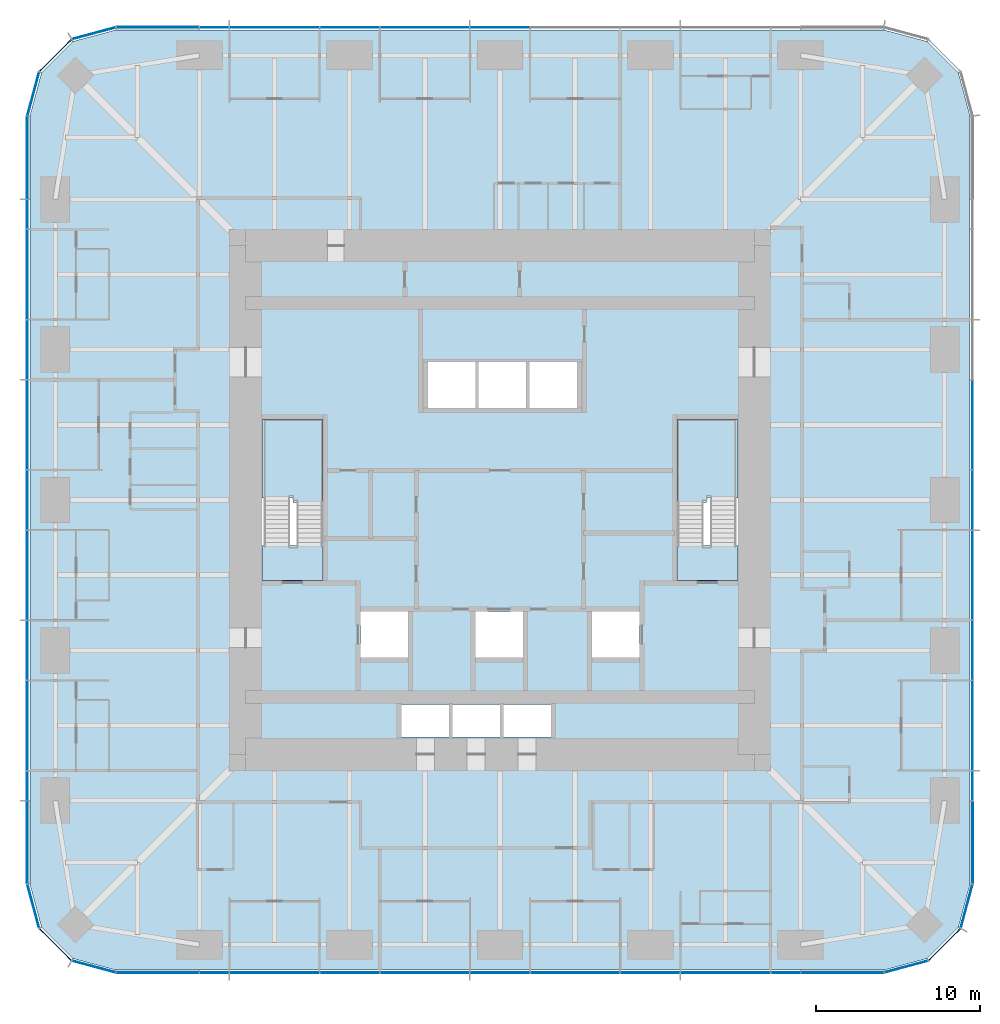
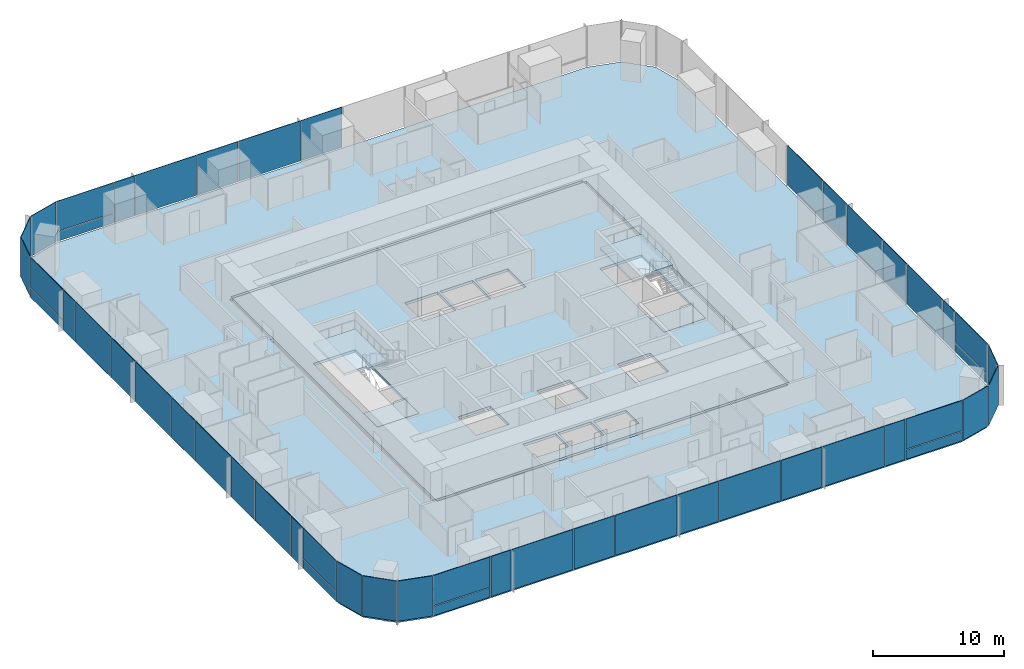
# One storey, part 7 of 13: 50 plates, 6 slabs, 9 elements without a shape of their own.
"""IFC4 building model written with IfcOpenShell, lengths in metres."""

from ifc_helpers import new_model, si_unit, direction, frame, origin, origin_2d, place, context, subcontext, project, spatial, polyline, rectangle, outline, extrude, material, layer, layer_set, type_object, element, aggregate, save


model = new_model("IFC4")

# Units and contexts
model_context = context("Model", 3, precision=1e-05, world=origin(), true_north=direction((0.0, 1.0)))
body_context = subcontext(model_context, "Body", "Model", "MODEL_VIEW")
ifc_project = project(units=[si_unit("LENGTHUNIT", "METRE"), si_unit("AREAUNIT", "SQUARE_METRE"), si_unit("VOLUMEUNIT", "CUBIC_METRE"), si_unit("PLANEANGLEUNIT", "RADIAN"), si_unit("MASSUNIT", "GRAM", prefix="KILO")], contexts=[model_context])

# Site, building, storey
site_placement = place(None, origin())
site = spatial("IfcSite", under=ifc_project, at=site_placement, CompositionType="ELEMENT")
building_placement = place(site_placement, origin())
building = spatial("IfcBuilding", under=site, at=building_placement, Name="Khuree Lantern Residences", CompositionType="ELEMENT")
storey_placement = place(building_placement, frame((0.0, 0.0, 148.5)))
storey = spatial("IfcBuildingStorey", under=building, at=storey_placement, Name="L37", CompositionType="ELEMENT", Elevation=148.5)

# Slab
ifc_material_1 = material(Name="Concrete C35/45", Category="concrete")
ifc_layer_1 = layer(ifc_material_1, 0.25)
ifc_layer_set_1 = layer_set([ifc_layer_1], Name="CFL250 CORE FLOOR SLAB 250")
slab_type_1 = type_object("IfcSlabType", Name="CFL250 CORE FLOOR SLAB 250", PredefinedType="FLOOR", material=ifc_layer_set_1)
slab_1_placement = place(storey_placement, frame((0.0, 0.0, -0.25)))
element("IfcSlab", 1, at=slab_1_placement, inside=storey, type_object=slab_type_1, Name="Core floor L37", PredefinedType="FLOOR", context=body_context, shape_type="SweptSolid", body=[
    extrude(outline(polyline([(-15.5, -15.5), (-15.5, 15.5), (15.5, 15.5), (15.5, -15.5), (-15.5, -15.5)]), holes=[polyline([(10.800048828125, 4.89990234375), (10.800048828125, -4.89990234375), (14.5, -4.89990234375), (14.5, 4.89990234375), (10.800048828125, 4.89990234375)]), polyline([(8.5, -6.800048828125), (5.60009765625, -6.800048828125), (5.60009765625, -9.60009765625), (8.5, -9.60009765625), (8.5, -6.800048828125)]), polyline([(4.699951171875, 8.39990234375), (1.800048828125, 8.39990234375), (1.800048828125, 5.60009765625), (4.699951171875, 5.60009765625), (4.699951171875, 8.39990234375)]), polyline([(3.10009765625, -12.449951171875), (0.199951171875, -12.449951171875), (0.199951171875, -14.449951171875), (3.10009765625, -14.449951171875), (3.10009765625, -12.449951171875)]), polyline([(1.60009765625, 8.39990234375), (-1.300048828125, 8.39990234375), (-1.300048828125, 5.60009765625), (1.60009765625, 5.60009765625), (1.60009765625, 8.39990234375)]), polyline([(1.39990234375, -6.800048828125), (-1.5, -6.800048828125), (-1.5, -9.60009765625), (1.39990234375, -9.60009765625), (1.39990234375, -6.800048828125)]), polyline([(-2.89990234375, -12.449951171875), (-2.89990234375, -14.449951171875), (0.0, -14.449951171875), (0.0, -12.449951171875), (-2.89990234375, -12.449951171875)]), polyline([(-4.39990234375, 8.39990234375), (-4.39990234375, 5.60009765625), (-1.5, 5.60009765625), (-1.5, 8.39990234375), (-4.39990234375, 8.39990234375)]), polyline([(-6.0, -12.449951171875), (-6.0, -14.449951171875), (-3.10009765625, -14.449951171875), (-3.10009765625, -12.449951171875), (-6.0, -12.449951171875)]), polyline([(-8.5, -6.800048828125), (-8.5, -9.60009765625), (-5.60009765625, -9.60009765625), (-5.60009765625, -6.800048828125), (-8.5, -6.800048828125)]), polyline([(-10.800048828125, 4.89990234375), (-14.5, 4.89990234375), (-14.5, -4.89990234375), (-10.800048828125, -4.89990234375), (-10.800048828125, 4.89990234375)])]), origin(), (0.0, 0.0, 1.0), 0.25),
])

# Curtain wall, plates
ifc_material_2 = material(Name="Bronze anodised aluminium", Category="aluminium")
curtain_wall_type_1 = type_object("IfcCurtainWallType", Name="CW-T2 TOWER CORNER CURTAIN WALL", PredefinedType="USERDEFINED", material=ifc_material_2)
curtain_wall_1_placement = place(storey_placement, origin())
curtain_wall_1 = element("IfcCurtainWall", 2, at=curtain_wall_1_placement, inside=storey, type_object=curtain_wall_type_1, Name="L37 SOUTH-EAST CORNER CURTAIN WALL", ObjectType="Faceted corner curtain wall", PredefinedType="USERDEFINED")
ifc_material_3 = material(Name="Bronze tinted triple glazing", Category="glass")
ifc_layer_2 = layer(ifc_material_3, 0.048095703125)
ifc_layer_set_2 = layer_set([ifc_layer_2], Name="FACET PANEL P4")
plate_type_1 = type_object("IfcPlateType", Name="FACET PANEL P4", PredefinedType="CURTAIN_PANEL", material=ifc_layer_set_2)
plate_1_placement = place(storey_placement, frame((24.748046875, -28.438720703125, 0.0), z_axis=(0.0, 0.0, 1.0), x_axis=(0.965925810153, 0.258819105321, 0.0)))
plate_1 = element("IfcPlate", 3, at=plate_1_placement, type_object=plate_type_1, Name="L37 SOUTH-EAST CORNER PANEL 1.1", PredefinedType="CURTAIN_PANEL", context=body_context, shape_type="SweptSolid", body=[
    extrude(rectangle(XDim=2.71923828125, YDim=0.048095703125, at=origin_2d()), origin(), (0.0, 0.0, 1.0), 3.75),
])
plate_2_placement = place(storey_placement, frame((27.08837890625, -27.08837890625, 0.0), z_axis=(0.0, 0.0, 1.0), x_axis=(0.707106781187, 0.707106781187, 0.0)))
plate_2 = element("IfcPlate", 4, at=plate_2_placement, type_object=plate_type_1, Name="L37 SOUTH-EAST CORNER PANEL 2.1", PredefinedType="CURTAIN_PANEL", context=body_context, shape_type="SweptSolid", body=[
    extrude(rectangle(XDim=2.715087890625, YDim=0.048095703125, at=origin_2d()), origin(), (0.0, 0.0, 1.0), 3.75),
])
plate_3_placement = place(storey_placement, frame((28.438720703125, -24.748046875, 0.0), z_axis=(0.0, 0.0, 1.0), x_axis=(0.258819105321, 0.965925810153, 0.0)))
plate_3 = element("IfcPlate", 5, at=plate_3_placement, type_object=plate_type_1, Name="L37 SOUTH-EAST CORNER PANEL 3.1", PredefinedType="CURTAIN_PANEL", context=body_context, shape_type="SweptSolid", body=[
    extrude(rectangle(XDim=2.71923828125, YDim=0.048095703125, at=origin_2d()), origin(), (0.0, 0.0, 1.0), 3.75),
])
aggregate(curtain_wall_1, [plate_1, plate_2, plate_3])

curtain_wall_2_placement = place(storey_placement, origin())
curtain_wall_2 = element("IfcCurtainWall", 6, at=curtain_wall_2_placement, inside=storey, type_object=curtain_wall_type_1, Name="L37 NORTH-WEST CORNER CURTAIN WALL", ObjectType="Faceted corner curtain wall", PredefinedType="USERDEFINED")
plate_4_placement = place(storey_placement, frame((-24.748046875, 28.438720703125, 0.0), z_axis=(0.0, 0.0, 1.0), x_axis=(-0.965925810153, -0.258819105321, 0.0)))
plate_4 = element("IfcPlate", 7, at=plate_4_placement, type_object=plate_type_1, Name="L37 NORTH-WEST CORNER PANEL 29.1", PredefinedType="CURTAIN_PANEL", context=body_context, shape_type="SweptSolid", body=[
    extrude(rectangle(XDim=2.71923828125, YDim=0.048095703125, at=origin_2d()), origin(), (0.0, 0.0, 1.0), 3.75),
])
plate_5_placement = place(storey_placement, frame((-27.08837890625, 27.08837890625, 0.0), z_axis=(0.0, 0.0, 1.0), x_axis=(-0.707106781187, -0.707106781187, 0.0)))
plate_5 = element("IfcPlate", 8, at=plate_5_placement, type_object=plate_type_1, Name="L37 NORTH-WEST CORNER PANEL 30.1", PredefinedType="CURTAIN_PANEL", context=body_context, shape_type="SweptSolid", body=[
    extrude(rectangle(XDim=2.715087890625, YDim=0.048095703125, at=origin_2d()), origin(), (0.0, 0.0, 1.0), 3.75),
])
plate_6_placement = place(storey_placement, frame((-28.438720703125, 24.748046875, 0.0), z_axis=(0.0, 0.0, 1.0), x_axis=(-0.258819105321, -0.965925810153, 0.0)))
plate_6 = element("IfcPlate", 9, at=plate_6_placement, type_object=plate_type_1, Name="L37 NORTH-WEST CORNER PANEL 31.1", PredefinedType="CURTAIN_PANEL", context=body_context, shape_type="SweptSolid", body=[
    extrude(rectangle(XDim=2.71923828125, YDim=0.048095703125, at=origin_2d()), origin(), (0.0, 0.0, 1.0), 3.75),
])
aggregate(curtain_wall_2, [plate_4, plate_5, plate_6])

curtain_wall_3_placement = place(storey_placement, origin())
curtain_wall_3 = element("IfcCurtainWall", 10, at=curtain_wall_3_placement, inside=storey, type_object=curtain_wall_type_1, Name="L37 SOUTH-WEST CORNER CURTAIN WALL", ObjectType="Faceted corner curtain wall", PredefinedType="USERDEFINED")
plate_7_placement = place(storey_placement, frame((-28.438720703125, -24.748046875, 0.0), z_axis=(0.0, 0.0, 1.0), x_axis=(0.258819105321, -0.965925810153, 0.0)))
plate_7 = element("IfcPlate", 11, at=plate_7_placement, type_object=plate_type_1, Name="L37 SOUTH-WEST CORNER PANEL 43.1", PredefinedType="CURTAIN_PANEL", context=body_context, shape_type="SweptSolid", body=[
    extrude(rectangle(XDim=2.71923828125, YDim=0.048095703125, at=origin_2d()), origin(), (0.0, 0.0, 1.0), 3.75),
])
plate_8_placement = place(storey_placement, frame((-27.08837890625, -27.08837890625, 0.0), z_axis=(0.0, 0.0, 1.0), x_axis=(0.707106781187, -0.707106781187, 0.0)))
plate_8 = element("IfcPlate", 12, at=plate_8_placement, type_object=plate_type_1, Name="L37 SOUTH-WEST CORNER PANEL 44.1", PredefinedType="CURTAIN_PANEL", context=body_context, shape_type="SweptSolid", body=[
    extrude(rectangle(XDim=2.715087890625, YDim=0.048095703125, at=origin_2d()), origin(), (0.0, 0.0, 1.0), 3.75),
])
plate_9_placement = place(storey_placement, frame((-24.748046875, -28.438720703125, 0.0), z_axis=(0.0, 0.0, 1.0), x_axis=(0.965925810153, -0.258819105321, 0.0)))
plate_9 = element("IfcPlate", 13, at=plate_9_placement, type_object=plate_type_1, Name="L37 SOUTH-WEST CORNER PANEL 45.1", PredefinedType="CURTAIN_PANEL", context=body_context, shape_type="SweptSolid", body=[
    extrude(rectangle(XDim=2.71923828125, YDim=0.048095703125, at=origin_2d()), origin(), (0.0, 0.0, 1.0), 3.75),
])
aggregate(curtain_wall_3, [plate_7, plate_8, plate_9])

curtain_wall_type_2 = type_object("IfcCurtainWallType", Name="CW-T1 TOWER FACE CURTAIN WALL", PredefinedType="USERDEFINED", material=ifc_material_2)
curtain_wall_4_placement = place(storey_placement, origin())
curtain_wall_4 = element("IfcCurtainWall", 14, at=curtain_wall_4_placement, inside=storey, type_object=curtain_wall_type_2, Name="L37 EAST FACE CURTAIN WALL", ObjectType="Stick-built curtain wall", PredefinedType="USERDEFINED")
ifc_material_4 = material(Name="Bronze tinted triple glazing with a ceramic-fritted spandrel band", Category="glass")
ifc_layer_3 = layer(ifc_material_4, 0.048095703125)
ifc_layer_set_3 = layer_set([ifc_layer_3], Name="FIXED LIGHT PANEL P11")
plate_type_2 = type_object("IfcPlateType", Name="FIXED LIGHT PANEL P11", PredefinedType="CURTAIN_PANEL", material=ifc_layer_set_3)
plate_10_placement = place(storey_placement, frame((28.800048828125, -13.739990234375, 0.0), z_axis=(0.0, 0.0, 1.0), x_axis=(0.0, 1.0, 0.0)))
plate_10 = element("IfcPlate", 15, at=plate_10_placement, type_object=plate_type_2, Name="L37 EAST FACE PANEL 6.1", PredefinedType="CURTAIN_PANEL", context=body_context, shape_type="SweptSolid", body=[
    extrude(rectangle(XDim=5.430908203125, YDim=0.048095703125, at=origin_2d()), origin(), (0.0, 0.0, 1.0), 3.75),
])
plate_11_placement = place(storey_placement, frame((28.800048828125, -4.580078125, 0.0), z_axis=(0.0, 0.0, 1.0), x_axis=(0.0, 1.0, 0.0)))
plate_11 = element("IfcPlate", 16, at=plate_11_placement, type_object=plate_type_2, Name="L37 EAST FACE PANEL 8.1", PredefinedType="CURTAIN_PANEL", context=body_context, shape_type="SweptSolid", body=[
    extrude(rectangle(XDim=5.430908203125, YDim=0.048095703125, at=origin_2d()), origin(), (0.0, 0.0, 1.0), 3.75),
])
plate_12_placement = place(storey_placement, frame((28.800048828125, 4.580078125, 0.0), z_axis=(0.0, 0.0, 1.0), x_axis=(0.0, 1.0, 0.0)))
plate_12 = element("IfcPlate", 17, at=plate_12_placement, type_object=plate_type_2, Name="L37 EAST FACE PANEL 10.1", PredefinedType="CURTAIN_PANEL", context=body_context, shape_type="SweptSolid", body=[
    extrude(rectangle(XDim=5.430908203125, YDim=0.048095703125, at=origin_2d()), origin(), (0.0, 0.0, 1.0), 3.75),
])

curtain_wall_5_placement = place(storey_placement, origin())
curtain_wall_5 = element("IfcCurtainWall", 18, at=curtain_wall_5_placement, inside=storey, type_object=curtain_wall_type_2, Name="L37 NORTH FACE CURTAIN WALL", ObjectType="Stick-built curtain wall", PredefinedType="USERDEFINED")
plate_13_placement = place(storey_placement, frame((-4.580078125, 28.800048828125, 0.0), z_axis=(0.0, 0.0, 1.0), x_axis=(-1.0, 0.0, 0.0)))
plate_13 = element("IfcPlate", 19, at=plate_13_placement, type_object=plate_type_2, Name="L37 NORTH FACE PANEL 24.1", PredefinedType="CURTAIN_PANEL", context=body_context, shape_type="SweptSolid", body=[
    extrude(rectangle(XDim=5.430908203125, YDim=0.048095703125, at=origin_2d()), origin(), (0.0, 0.0, 1.0), 3.75),
])
plate_14_placement = place(storey_placement, frame((-13.739990234375, 28.800048828125, 0.0), z_axis=(0.0, 0.0, 1.0), x_axis=(-1.0, 0.0, 0.0)))
plate_14 = element("IfcPlate", 20, at=plate_14_placement, type_object=plate_type_2, Name="L37 NORTH FACE PANEL 26.1", PredefinedType="CURTAIN_PANEL", context=body_context, shape_type="SweptSolid", body=[
    extrude(rectangle(XDim=5.430908203125, YDim=0.048095703125, at=origin_2d()), origin(), (0.0, 0.0, 1.0), 3.75),
])

curtain_wall_6_placement = place(storey_placement, origin())
curtain_wall_6 = element("IfcCurtainWall", 21, at=curtain_wall_6_placement, inside=storey, type_object=curtain_wall_type_2, Name="L37 WEST FACE CURTAIN WALL", ObjectType="Stick-built curtain wall", PredefinedType="USERDEFINED")
plate_15_placement = place(storey_placement, frame((-28.800048828125, 13.739990234375, 0.0), z_axis=(0.0, 0.0, 1.0), x_axis=(0.0, -1.0, 0.0)))
plate_15 = element("IfcPlate", 22, at=plate_15_placement, type_object=plate_type_2, Name="L37 WEST FACE PANEL 34.1", PredefinedType="CURTAIN_PANEL", context=body_context, shape_type="SweptSolid", body=[
    extrude(rectangle(XDim=5.430908203125, YDim=0.048095703125, at=origin_2d()), origin(), (0.0, 0.0, 1.0), 3.75),
])
plate_16_placement = place(storey_placement, frame((-28.800048828125, 4.580078125, 0.0), z_axis=(0.0, 0.0, 1.0), x_axis=(0.0, -1.0, 0.0)))
plate_16 = element("IfcPlate", 23, at=plate_16_placement, type_object=plate_type_2, Name="L37 WEST FACE PANEL 36.1", PredefinedType="CURTAIN_PANEL", context=body_context, shape_type="SweptSolid", body=[
    extrude(rectangle(XDim=5.430908203125, YDim=0.048095703125, at=origin_2d()), origin(), (0.0, 0.0, 1.0), 3.75),
])
plate_17_placement = place(storey_placement, frame((-28.800048828125, -4.580078125, 0.0), z_axis=(0.0, 0.0, 1.0), x_axis=(0.0, -1.0, 0.0)))
plate_17 = element("IfcPlate", 24, at=plate_17_placement, type_object=plate_type_2, Name="L37 WEST FACE PANEL 38.1", PredefinedType="CURTAIN_PANEL", context=body_context, shape_type="SweptSolid", body=[
    extrude(rectangle(XDim=5.430908203125, YDim=0.048095703125, at=origin_2d()), origin(), (0.0, 0.0, 1.0), 3.75),
])
plate_18_placement = place(storey_placement, frame((-28.800048828125, -13.739990234375, 0.0), z_axis=(0.0, 0.0, 1.0), x_axis=(0.0, -1.0, 0.0)))
plate_18 = element("IfcPlate", 25, at=plate_18_placement, type_object=plate_type_2, Name="L37 WEST FACE PANEL 40.1", PredefinedType="CURTAIN_PANEL", context=body_context, shape_type="SweptSolid", body=[
    extrude(rectangle(XDim=5.430908203125, YDim=0.048095703125, at=origin_2d()), origin(), (0.0, 0.0, 1.0), 3.75),
])

curtain_wall_7_placement = place(storey_placement, origin())
curtain_wall_7 = element("IfcCurtainWall", 26, at=curtain_wall_7_placement, inside=storey, type_object=curtain_wall_type_2, Name="L37 SOUTH FACE CURTAIN WALL", ObjectType="Stick-built curtain wall", PredefinedType="USERDEFINED")
plate_19_placement = place(storey_placement, frame((-13.739990234375, -28.800048828125, 0.0), z_axis=(0.0, 0.0, 1.0), x_axis=(1.0, 0.0, 0.0)))
plate_19 = element("IfcPlate", 27, at=plate_19_placement, type_object=plate_type_2, Name="L37 SOUTH FACE PANEL 48.1", PredefinedType="CURTAIN_PANEL", context=body_context, shape_type="SweptSolid", body=[
    extrude(rectangle(XDim=5.430908203125, YDim=0.048095703125, at=origin_2d()), origin(), (0.0, 0.0, 1.0), 3.75),
])
plate_20_placement = place(storey_placement, frame((-4.580078125, -28.800048828125, 0.0), z_axis=(0.0, 0.0, 1.0), x_axis=(1.0, 0.0, 0.0)))
plate_20 = element("IfcPlate", 28, at=plate_20_placement, type_object=plate_type_2, Name="L37 SOUTH FACE PANEL 50.1", PredefinedType="CURTAIN_PANEL", context=body_context, shape_type="SweptSolid", body=[
    extrude(rectangle(XDim=5.430908203125, YDim=0.048095703125, at=origin_2d()), origin(), (0.0, 0.0, 1.0), 3.75),
])
plate_21_placement = place(storey_placement, frame((4.580078125, -28.800048828125, 0.0), z_axis=(0.0, 0.0, 1.0), x_axis=(1.0, 0.0, 0.0)))
plate_21 = element("IfcPlate", 29, at=plate_21_placement, type_object=plate_type_2, Name="L37 SOUTH FACE PANEL 52.1", PredefinedType="CURTAIN_PANEL", context=body_context, shape_type="SweptSolid", body=[
    extrude(rectangle(XDim=5.430908203125, YDim=0.048095703125, at=origin_2d()), origin(), (0.0, 0.0, 1.0), 3.75),
])
plate_22_placement = place(storey_placement, frame((13.739990234375, -28.800048828125, 0.0), z_axis=(0.0, 0.0, 1.0), x_axis=(1.0, 0.0, 0.0)))
plate_22 = element("IfcPlate", 30, at=plate_22_placement, type_object=plate_type_2, Name="L37 SOUTH FACE PANEL 54.1", PredefinedType="CURTAIN_PANEL", context=body_context, shape_type="SweptSolid", body=[
    extrude(rectangle(XDim=5.430908203125, YDim=0.048095703125, at=origin_2d()), origin(), (0.0, 0.0, 1.0), 3.75),
])

# Slab
ifc_layer_4 = layer(ifc_material_1, 0.25)
ifc_layer_set_4 = layer_set([ifc_layer_4], Name="FS250 FLOOR SLAB 250")
slab_type_2 = type_object("IfcSlabType", Name="FS250 FLOOR SLAB 250", PredefinedType="FLOOR", material=ifc_layer_set_4)
slab_2_placement = place(storey_placement, frame((0.0, 0.0, -0.25)))
element("IfcSlab", 31, at=slab_2_placement, inside=storey, type_object=slab_type_2, Name="Floor slab L37", PredefinedType="FLOOR", context=body_context, shape_type="SweptSolid", body=[
    extrude(outline(polyline([(-26.02490234375, -27.946533203125), (-27.946533203125, -26.02490234375), (-28.64990234375, -23.39990234375), (-28.64990234375, 23.39990234375), (-27.946533203125, 26.02490234375), (-26.02490234375, 27.946533203125), (-23.39990234375, 28.64990234375), (23.39990234375, 28.64990234375), (26.02490234375, 27.946533203125), (27.946533203125, 26.02490234375), (28.64990234375, 23.39990234375), (28.64990234375, -23.39990234375), (27.946533203125, -26.02490234375), (26.02490234375, -27.946533203125), (23.39990234375, -28.64990234375), (-23.39990234375, -28.64990234375), (-26.02490234375, -27.946533203125)]), holes=[polyline([(15.75, 15.5), (15.5, 15.5), (15.5, 15.75), (-15.5, 15.75), (-15.5, 15.5), (-15.75, 15.5), (-15.75, -15.5), (-15.5, -15.5), (-15.5, -15.75), (15.5, -15.75), (15.5, -15.5), (15.75, -15.5), (15.75, 15.5)])]), origin(), (0.0, 0.0, 1.0), 0.25),
])

# Plate
ifc_material_5 = material(Name="Bronze tinted triple glazing, two aluminium-framed sashes in one frame", Category="aluminium")
ifc_layer_5 = layer(ifc_material_5, 0.048095703125)
ifc_layer_set_5 = layer_set([ifc_layer_5], Name="SASH PAIR PANEL P12")
plate_type_3 = type_object("IfcPlateType", Name="SASH PAIR PANEL P12", PredefinedType="CURTAIN_PANEL", material=ifc_layer_set_5)
plate_23_placement = place(storey_placement, frame((28.800048828125, -9.159912109375, 0.0), z_axis=(0.0, 0.0, 1.0), x_axis=(0.0, 1.0, 0.0)))
plate_23 = element("IfcPlate", 32, at=plate_23_placement, type_object=plate_type_3, Name="L37 EAST FACE PANEL 7.1", PredefinedType="CURTAIN_PANEL", context=body_context, shape_type="SweptSolid", body=[
    extrude(rectangle(XDim=3.59912109375, YDim=0.048095703125, at=origin_2d()), origin(), (0.0, 0.0, 1.0), 3.75),
])

plate_24_placement = place(storey_placement, frame((28.800048828125, 0.0, 0.0), z_axis=(0.0, 0.0, 1.0), x_axis=(0.0, 1.0, 0.0)))
plate_24 = element("IfcPlate", 33, at=plate_24_placement, type_object=plate_type_3, Name="L37 EAST FACE PANEL 9.1", PredefinedType="CURTAIN_PANEL", context=body_context, shape_type="SweptSolid", body=[
    extrude(rectangle(XDim=3.59912109375, YDim=0.048095703125, at=origin_2d()), origin(), (0.0, 0.0, 1.0), 3.75),
])

plate_25_placement = place(storey_placement, frame((0.0, 28.800048828125, 0.0), z_axis=(0.0, 0.0, 1.0), x_axis=(-1.0, 0.0, 0.0)))
plate_25 = element("IfcPlate", 34, at=plate_25_placement, type_object=plate_type_3, Name="L37 NORTH FACE PANEL 23.1", PredefinedType="CURTAIN_PANEL", context=body_context, shape_type="SweptSolid", body=[
    extrude(rectangle(XDim=3.59912109375, YDim=0.048095703125, at=origin_2d()), origin(), (0.0, 0.0, 1.0), 3.75),
])

plate_26_placement = place(storey_placement, frame((-9.159912109375, 28.800048828125, 0.0), z_axis=(0.0, 0.0, 1.0), x_axis=(-1.0, 0.0, 0.0)))
plate_26 = element("IfcPlate", 35, at=plate_26_placement, type_object=plate_type_3, Name="L37 NORTH FACE PANEL 25.1", PredefinedType="CURTAIN_PANEL", context=body_context, shape_type="SweptSolid", body=[
    extrude(rectangle(XDim=3.59912109375, YDim=0.048095703125, at=origin_2d()), origin(), (0.0, 0.0, 1.0), 3.75),
])

plate_27_placement = place(storey_placement, frame((-28.800048828125, 9.159912109375, 0.0), z_axis=(0.0, 0.0, 1.0), x_axis=(0.0, -1.0, 0.0)))
plate_27 = element("IfcPlate", 36, at=plate_27_placement, type_object=plate_type_3, Name="L37 WEST FACE PANEL 35.1", PredefinedType="CURTAIN_PANEL", context=body_context, shape_type="SweptSolid", body=[
    extrude(rectangle(XDim=3.59912109375, YDim=0.048095703125, at=origin_2d()), origin(), (0.0, 0.0, 1.0), 3.75),
])

plate_28_placement = place(storey_placement, frame((-28.800048828125, 0.0, 0.0), z_axis=(0.0, 0.0, 1.0), x_axis=(0.0, -1.0, 0.0)))
plate_28 = element("IfcPlate", 37, at=plate_28_placement, type_object=plate_type_3, Name="L37 WEST FACE PANEL 37.1", PredefinedType="CURTAIN_PANEL", context=body_context, shape_type="SweptSolid", body=[
    extrude(rectangle(XDim=3.59912109375, YDim=0.048095703125, at=origin_2d()), origin(), (0.0, 0.0, 1.0), 3.75),
])

plate_29_placement = place(storey_placement, frame((-28.800048828125, -9.159912109375, 0.0), z_axis=(0.0, 0.0, 1.0), x_axis=(0.0, -1.0, 0.0)))
plate_29 = element("IfcPlate", 38, at=plate_29_placement, type_object=plate_type_3, Name="L37 WEST FACE PANEL 39.1", PredefinedType="CURTAIN_PANEL", context=body_context, shape_type="SweptSolid", body=[
    extrude(rectangle(XDim=3.59912109375, YDim=0.048095703125, at=origin_2d()), origin(), (0.0, 0.0, 1.0), 3.75),
])

plate_30_placement = place(storey_placement, frame((-9.159912109375, -28.800048828125, 0.0), z_axis=(0.0, 0.0, 1.0), x_axis=(1.0, 0.0, 0.0)))
plate_30 = element("IfcPlate", 39, at=plate_30_placement, type_object=plate_type_3, Name="L37 SOUTH FACE PANEL 49.1", PredefinedType="CURTAIN_PANEL", context=body_context, shape_type="SweptSolid", body=[
    extrude(rectangle(XDim=3.59912109375, YDim=0.048095703125, at=origin_2d()), origin(), (0.0, 0.0, 1.0), 3.75),
])

plate_31_placement = place(storey_placement, frame((0.0, -28.800048828125, 0.0), z_axis=(0.0, 0.0, 1.0), x_axis=(1.0, 0.0, 0.0)))
plate_31 = element("IfcPlate", 40, at=plate_31_placement, type_object=plate_type_3, Name="L37 SOUTH FACE PANEL 51.1", PredefinedType="CURTAIN_PANEL", context=body_context, shape_type="SweptSolid", body=[
    extrude(rectangle(XDim=3.59912109375, YDim=0.048095703125, at=origin_2d()), origin(), (0.0, 0.0, 1.0), 3.75),
])

plate_32_placement = place(storey_placement, frame((9.159912109375, -28.800048828125, 0.0), z_axis=(0.0, 0.0, 1.0), x_axis=(1.0, 0.0, 0.0)))
plate_32 = element("IfcPlate", 41, at=plate_32_placement, type_object=plate_type_3, Name="L37 SOUTH FACE PANEL 53.1", PredefinedType="CURTAIN_PANEL", context=body_context, shape_type="SweptSolid", body=[
    extrude(rectangle(XDim=3.59912109375, YDim=0.048095703125, at=origin_2d()), origin(), (0.0, 0.0, 1.0), 3.75),
])

ifc_material_6 = material(Name="Bronze tinted triple glazing, aluminium-framed sash", Category="aluminium")
ifc_layer_6 = layer(ifc_material_6, 0.048095703125)
ifc_layer_set_6 = layer_set([ifc_layer_6], Name="SASH PANEL P3")
plate_type_4 = type_object("IfcPlateType", Name="SASH PANEL P3", PredefinedType="CURTAIN_PANEL", material=ifc_layer_set_6)
plate_33_placement = place(storey_placement, frame((28.800048828125, -17.404052734375, 0.0), z_axis=(0.0, 0.0, 1.0), x_axis=(0.0, 1.0, 0.0)))
plate_33 = element("IfcPlate", 42, at=plate_33_placement, type_object=plate_type_4, Name="L37 EAST FACE PANEL 5.1", PredefinedType="CURTAIN_PANEL", context=body_context, shape_type="SweptSolid", body=[
    extrude(rectangle(XDim=1.76708984375, YDim=0.048095703125, at=origin_2d()), origin(), (0.0, 0.0, 1.0), 3.75),
])

plate_34_placement = place(storey_placement, frame((-17.404052734375, 28.800048828125, 0.0), z_axis=(0.0, 0.0, 1.0), x_axis=(-1.0, 0.0, 0.0)))
plate_34 = element("IfcPlate", 43, at=plate_34_placement, type_object=plate_type_4, Name="L37 NORTH FACE PANEL 27.1", PredefinedType="CURTAIN_PANEL", context=body_context, shape_type="SweptSolid", body=[
    extrude(rectangle(XDim=1.76708984375, YDim=0.048095703125, at=origin_2d()), origin(), (0.0, 0.0, 1.0), 3.75),
])

plate_35_placement = place(storey_placement, frame((-28.800048828125, 17.404052734375, 0.0), z_axis=(0.0, 0.0, 1.0), x_axis=(0.0, -1.0, 0.0)))
plate_35 = element("IfcPlate", 44, at=plate_35_placement, type_object=plate_type_4, Name="L37 WEST FACE PANEL 33.1", PredefinedType="CURTAIN_PANEL", context=body_context, shape_type="SweptSolid", body=[
    extrude(rectangle(XDim=1.76708984375, YDim=0.048095703125, at=origin_2d()), origin(), (0.0, 0.0, 1.0), 3.75),
])

plate_36_placement = place(storey_placement, frame((-28.800048828125, -17.404052734375, 0.0), z_axis=(0.0, 0.0, 1.0), x_axis=(0.0, -1.0, 0.0)))
plate_36 = element("IfcPlate", 45, at=plate_36_placement, type_object=plate_type_4, Name="L37 WEST FACE PANEL 41.1", PredefinedType="CURTAIN_PANEL", context=body_context, shape_type="SweptSolid", body=[
    extrude(rectangle(XDim=1.76708984375, YDim=0.048095703125, at=origin_2d()), origin(), (0.0, 0.0, 1.0), 3.75),
])

plate_37_placement = place(storey_placement, frame((-17.404052734375, -28.800048828125, 0.0), z_axis=(0.0, 0.0, 1.0), x_axis=(1.0, 0.0, 0.0)))
plate_37 = element("IfcPlate", 46, at=plate_37_placement, type_object=plate_type_4, Name="L37 SOUTH FACE PANEL 47.1", PredefinedType="CURTAIN_PANEL", context=body_context, shape_type="SweptSolid", body=[
    extrude(rectangle(XDim=1.76708984375, YDim=0.048095703125, at=origin_2d()), origin(), (0.0, 0.0, 1.0), 3.75),
])

plate_38_placement = place(storey_placement, frame((17.404052734375, -28.800048828125, 0.0), z_axis=(0.0, 0.0, 1.0), x_axis=(1.0, 0.0, 0.0)))
plate_38 = element("IfcPlate", 47, at=plate_38_placement, type_object=plate_type_4, Name="L37 SOUTH FACE PANEL 55.1", PredefinedType="CURTAIN_PANEL", context=body_context, shape_type="SweptSolid", body=[
    extrude(rectangle(XDim=1.76708984375, YDim=0.048095703125, at=origin_2d()), origin(), (0.0, 0.0, 1.0), 3.75),
])

ifc_material_7 = material(Name="Bronze anodised aluminium insulated spandrel", Category="aluminium")
ifc_layer_7 = layer(ifc_material_7, 0.06005859375)
ifc_layer_set_7 = layer_set([ifc_layer_7], Name="SPANDREL PANEL P2")
plate_type_5 = type_object("IfcPlateType", Name="SPANDREL PANEL P2", PredefinedType="CURTAIN_PANEL", material=ifc_layer_set_7)
plate_39_placement = place(storey_placement, frame((28.800048828125, -20.85791015625, 0.0), z_axis=(0.0, 0.0, 1.0), x_axis=(0.0, 1.0, 0.0)))
plate_39 = element("IfcPlate", 48, at=plate_39_placement, type_object=plate_type_5, Name="L37 EAST FACE PANEL 4.1", PredefinedType="CURTAIN_PANEL", context=body_context, shape_type="SweptSolid", body=[
    extrude(rectangle(XDim=5.0107421875, YDim=0.06005859375, at=origin_2d()), origin(), (0.0, 0.0, 1.0), 0.867431640625),
])

plate_40_placement = place(storey_placement, frame((-20.85791015625, 28.800048828125, 0.0), z_axis=(0.0, 0.0, 1.0), x_axis=(-1.0, 0.0, 0.0)))
plate_40 = element("IfcPlate", 49, at=plate_40_placement, type_object=plate_type_5, Name="L37 NORTH FACE PANEL 28.1", PredefinedType="CURTAIN_PANEL", context=body_context, shape_type="SweptSolid", body=[
    extrude(rectangle(XDim=5.0107421875, YDim=0.06005859375, at=origin_2d()), origin(), (0.0, 0.0, 1.0), 0.867431640625),
])

plate_41_placement = place(storey_placement, frame((-28.800048828125, 20.85791015625, 0.0), z_axis=(0.0, 0.0, 1.0), x_axis=(0.0, -1.0, 0.0)))
plate_41 = element("IfcPlate", 50, at=plate_41_placement, type_object=plate_type_5, Name="L37 WEST FACE PANEL 32.1", PredefinedType="CURTAIN_PANEL", context=body_context, shape_type="SweptSolid", body=[
    extrude(rectangle(XDim=5.0107421875, YDim=0.06005859375, at=origin_2d()), origin(), (0.0, 0.0, 1.0), 0.867431640625),
])

plate_42_placement = place(storey_placement, frame((-28.800048828125, -20.85791015625, 0.0), z_axis=(0.0, 0.0, 1.0), x_axis=(0.0, -1.0, 0.0)))
plate_42 = element("IfcPlate", 51, at=plate_42_placement, type_object=plate_type_5, Name="L37 WEST FACE PANEL 42.1", PredefinedType="CURTAIN_PANEL", context=body_context, shape_type="SweptSolid", body=[
    extrude(rectangle(XDim=5.0107421875, YDim=0.06005859375, at=origin_2d()), origin(), (0.0, 0.0, 1.0), 0.867431640625),
])

plate_43_placement = place(storey_placement, frame((-20.85791015625, -28.800048828125, 0.0), z_axis=(0.0, 0.0, 1.0), x_axis=(1.0, 0.0, 0.0)))
plate_43 = element("IfcPlate", 52, at=plate_43_placement, type_object=plate_type_5, Name="L37 SOUTH FACE PANEL 46.1", PredefinedType="CURTAIN_PANEL", context=body_context, shape_type="SweptSolid", body=[
    extrude(rectangle(XDim=5.0107421875, YDim=0.06005859375, at=origin_2d()), origin(), (0.0, 0.0, 1.0), 0.867431640625),
])

plate_44_placement = place(storey_placement, frame((20.85791015625, -28.800048828125, 0.0), z_axis=(0.0, 0.0, 1.0), x_axis=(1.0, 0.0, 0.0)))
plate_44 = element("IfcPlate", 53, at=plate_44_placement, type_object=plate_type_5, Name="L37 SOUTH FACE PANEL 56.1", PredefinedType="CURTAIN_PANEL", context=body_context, shape_type="SweptSolid", body=[
    extrude(rectangle(XDim=5.0107421875, YDim=0.06005859375, at=origin_2d()), origin(), (0.0, 0.0, 1.0), 0.867431640625),
])

# Stair, slabs
ifc_material_8 = material(Name="Concrete C40/50", Category="concrete")
stair_type = type_object("IfcStairType", Name="STAIR ST1 HALF TURN 3600", PredefinedType="HALF_TURN_STAIR", material=ifc_material_8)
stair_1_placement = place(storey_placement, origin())
stair_1 = element("IfcStair", 54, at=stair_1_placement, inside=storey, type_object=stair_type, Name="Stair ST1", PredefinedType="HALF_TURN_STAIR")
ifc_layer_8 = layer(ifc_material_8, 0.199951171875)
ifc_layer_set_8 = layer_set([ifc_layer_8], Name="STAIR LANDING SL1 200")
slab_type_3 = type_object("IfcSlabType", Name="STAIR LANDING SL1 200", PredefinedType="LANDING", material=ifc_layer_set_8)
slab_3_placement = place(storey_placement, frame((0.0, 0.0, -0.199951171875)))
slab_3 = element("IfcSlab", 55, at=slab_3_placement, type_object=slab_type_3, Name="ST1 landing 1", PredefinedType="LANDING", context=body_context, shape_type="SweptSolid", body=[
    extrude(outline(polyline([(-14.5, -4.89990234375), (-10.800048828125, -4.89990234375), (-10.800048828125, -2.760009765625), (-14.5, -2.760009765625), (-14.5, -4.89990234375)])), origin(), (0.0, 0.0, 1.0), 0.199951171875),
])
slab_4_placement = place(storey_placement, frame((0.0, 0.0, 1.756591796875)))
slab_4 = element("IfcSlab", 56, at=slab_4_placement, type_object=slab_type_3, Name="ST1 landing 2", PredefinedType="LANDING", context=body_context, shape_type="SweptSolid", body=[
    extrude(outline(polyline([(-14.5, 0.1201171875), (-14.5, 4.89990234375), (-10.800048828125, 4.89990234375), (-10.800048828125, -0.159912109375), (-12.60009765625, -0.159912109375), (-12.60009765625, 0.1201171875), (-14.5, 0.1201171875)])), origin(), (0.0, 0.0, 1.0), 0.199951171875),
])
aggregate(stair_1, [slab_3, slab_4])

stair_2_placement = place(storey_placement, origin())
stair_2 = element("IfcStair", 57, at=stair_2_placement, inside=storey, type_object=stair_type, Name="Stair ST2", PredefinedType="HALF_TURN_STAIR")
slab_5_placement = place(storey_placement, frame((0.0, 0.0, -0.199951171875)))
slab_5 = element("IfcSlab", 58, at=slab_5_placement, type_object=slab_type_3, Name="ST2 landing 1", PredefinedType="LANDING", context=body_context, shape_type="SweptSolid", body=[
    extrude(outline(polyline([(10.800048828125, -4.89990234375), (14.5, -4.89990234375), (14.5, -2.760009765625), (10.800048828125, -2.760009765625), (10.800048828125, -4.89990234375)])), origin(), (0.0, 0.0, 1.0), 0.199951171875),
])
slab_6_placement = place(storey_placement, frame((0.0, 0.0, 1.756591796875)))
slab_6 = element("IfcSlab", 59, at=slab_6_placement, type_object=slab_type_3, Name="ST2 landing 2", PredefinedType="LANDING", context=body_context, shape_type="SweptSolid", body=[
    extrude(outline(polyline([(14.5, 4.89990234375), (14.5, 0.1201171875), (12.60009765625, 0.1201171875), (12.60009765625, -0.159912109375), (10.800048828125, -0.159912109375), (10.800048828125, 4.89990234375), (14.5, 4.89990234375)])), origin(), (0.0, 0.0, 1.0), 0.199951171875),
])
aggregate(stair_2, [slab_5, slab_6])

# Plate
ifc_layer_9 = layer(ifc_material_3, 0.048095703125)
ifc_layer_set_9 = layer_set([ifc_layer_9], Name="VISION PANEL P1")
plate_type_6 = type_object("IfcPlateType", Name="VISION PANEL P1", PredefinedType="CURTAIN_PANEL", material=ifc_layer_set_9)
plate_45_placement = place(storey_placement, frame((28.800048828125, -20.8583984375, 0.9326171875), z_axis=(0.0, 0.0, 1.0), x_axis=(0.0, 1.0, 0.0)))
plate_45 = element("IfcPlate", 60, at=plate_45_placement, type_object=plate_type_6, Name="L37 EAST FACE PANEL 4.2", PredefinedType="CURTAIN_PANEL", context=body_context, shape_type="SweptSolid", body=[
    extrude(rectangle(XDim=5.011474609375, YDim=0.048095703125, at=origin_2d()), origin(), (0.0, 0.0, 1.0), 2.8173828125),
])

aggregate(curtain_wall_4, [plate_39, plate_45, plate_33, plate_10, plate_23, plate_11, plate_24, plate_12])

plate_46_placement = place(storey_placement, frame((-20.8583984375, 28.800048828125, 0.9326171875), z_axis=(0.0, 0.0, 1.0), x_axis=(-1.0, 0.0, 0.0)))
plate_46 = element("IfcPlate", 61, at=plate_46_placement, type_object=plate_type_6, Name="L37 NORTH FACE PANEL 28.2", PredefinedType="CURTAIN_PANEL", context=body_context, shape_type="SweptSolid", body=[
    extrude(rectangle(XDim=5.011474609375, YDim=0.048095703125, at=origin_2d()), origin(), (0.0, 0.0, 1.0), 2.8173828125),
])

aggregate(curtain_wall_5, [plate_25, plate_13, plate_26, plate_14, plate_34, plate_40, plate_46])

plate_47_placement = place(storey_placement, frame((-28.800048828125, 20.8583984375, 0.9326171875), z_axis=(0.0, 0.0, 1.0), x_axis=(0.0, -1.0, 0.0)))
plate_47 = element("IfcPlate", 62, at=plate_47_placement, type_object=plate_type_6, Name="L37 WEST FACE PANEL 32.2", PredefinedType="CURTAIN_PANEL", context=body_context, shape_type="SweptSolid", body=[
    extrude(rectangle(XDim=5.011474609375, YDim=0.048095703125, at=origin_2d()), origin(), (0.0, 0.0, 1.0), 2.8173828125),
])

plate_48_placement = place(storey_placement, frame((-28.800048828125, -20.8583984375, 0.9326171875), z_axis=(0.0, 0.0, 1.0), x_axis=(0.0, -1.0, 0.0)))
plate_48 = element("IfcPlate", 63, at=plate_48_placement, type_object=plate_type_6, Name="L37 WEST FACE PANEL 42.2", PredefinedType="CURTAIN_PANEL", context=body_context, shape_type="SweptSolid", body=[
    extrude(rectangle(XDim=5.011474609375, YDim=0.048095703125, at=origin_2d()), origin(), (0.0, 0.0, 1.0), 2.8173828125),
])

aggregate(curtain_wall_6, [plate_41, plate_47, plate_35, plate_15, plate_27, plate_16, plate_28, plate_17, plate_29, plate_18, plate_36, plate_42, plate_48])

plate_49_placement = place(storey_placement, frame((-20.8583984375, -28.800048828125, 0.9326171875), z_axis=(0.0, 0.0, 1.0), x_axis=(1.0, 0.0, 0.0)))
plate_49 = element("IfcPlate", 64, at=plate_49_placement, type_object=plate_type_6, Name="L37 SOUTH FACE PANEL 46.2", PredefinedType="CURTAIN_PANEL", context=body_context, shape_type="SweptSolid", body=[
    extrude(rectangle(XDim=5.011474609375, YDim=0.048095703125, at=origin_2d()), origin(), (0.0, 0.0, 1.0), 2.8173828125),
])

plate_50_placement = place(storey_placement, frame((20.8583984375, -28.800048828125, 0.9326171875), z_axis=(0.0, 0.0, 1.0), x_axis=(1.0, 0.0, 0.0)))
plate_50 = element("IfcPlate", 65, at=plate_50_placement, type_object=plate_type_6, Name="L37 SOUTH FACE PANEL 56.2", PredefinedType="CURTAIN_PANEL", context=body_context, shape_type="SweptSolid", body=[
    extrude(rectangle(XDim=5.011474609375, YDim=0.048095703125, at=origin_2d()), origin(), (0.0, 0.0, 1.0), 2.8173828125),
])

aggregate(curtain_wall_7, [plate_43, plate_49, plate_37, plate_19, plate_30, plate_20, plate_31, plate_21, plate_32, plate_22, plate_38, plate_44, plate_50])

save(model, "model.ifc")
